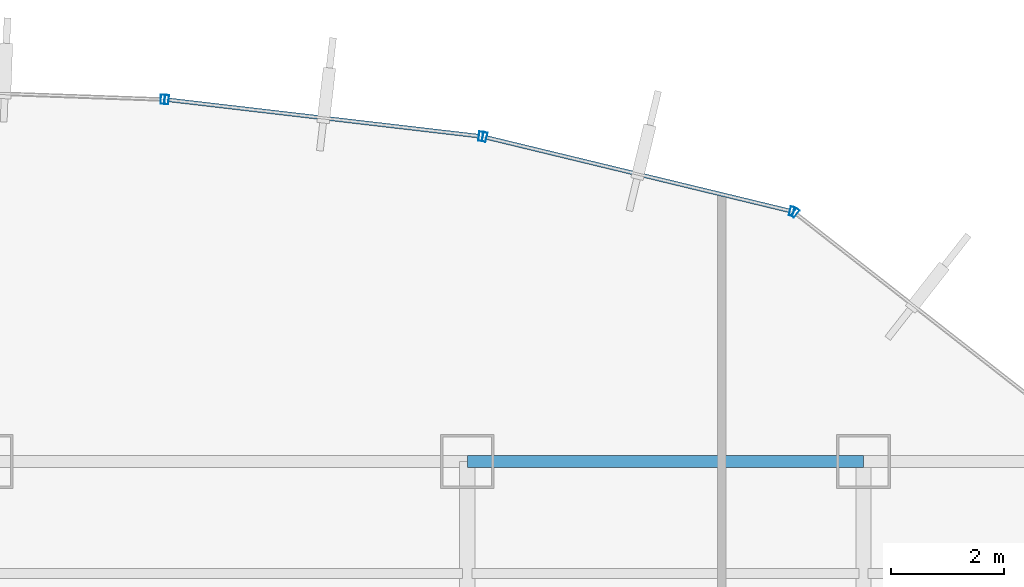
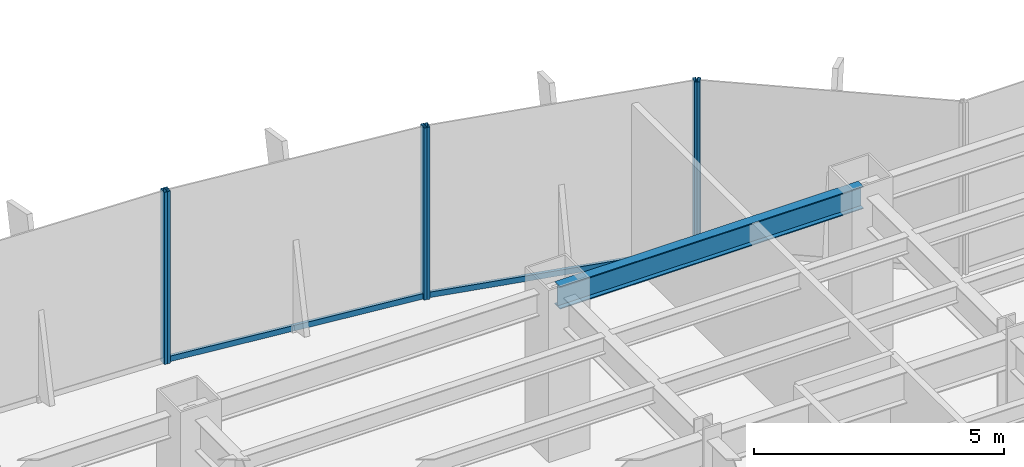
# One storey, part 23 of 35: 8 members, 1 beam, 4 elements without a shape of their own.
"""IFC4 building model written with IfcOpenShell, lengths in metres."""

from ifc_helpers import new_model, si_unit, derived_unit, direction, frame, origin, origin_2d, place, context, subcontext, project, spatial, hollow_rectangle, i_section, extrude, source, transform, mapped, material, material_profile, profile_set, type_object, element, aggregate, save


model = new_model("IFC4")

# Units and contexts
model_context = context("Model", 3, precision=1e-05, world=origin(), true_north=direction((0.0, 1.0)))
body_context = subcontext(model_context, "Body", "Model", "MODEL_VIEW")
ifc_project = project(units=[si_unit("LENGTHUNIT", "METRE"), si_unit("AREAUNIT", "SQUARE_METRE"), si_unit("VOLUMEUNIT", "CUBIC_METRE"), si_unit("PLANEANGLEUNIT", "RADIAN"), si_unit("MASSUNIT", "GRAM", prefix="KILO"), derived_unit("THERMALTRANSMITTANCEUNIT", [(si_unit("POWERUNIT", "WATT"), 1), (si_unit("LENGTHUNIT", "METRE"), -2), (si_unit("THERMODYNAMICTEMPERATUREUNIT", "KELVIN"), -1)])], contexts=[model_context])

# Site, building, storey
site_placement = place(None, origin())
site = spatial("IfcSite", under=ifc_project, at=site_placement, CompositionType="ELEMENT")
building_placement = place(site_placement, origin())
building = spatial("IfcBuilding", under=site, at=building_placement, Name="Skarnbrae Concourse Arena and Tower", CompositionType="ELEMENT")
storey_placement = place(building_placement, frame((0.0, 0.0, 79.949951171875)))
storey = spatial("IfcBuildingStorey", under=building, at=storey_placement, Name="L19", CompositionType="ELEMENT", Elevation=79.949951171875)

# Beam
ifc_material_1 = material(Name="Steel CSA G40.21 350W", Category="steel")
ifc_material_profile_1 = material_profile(ifc_material_1, i_section(OverallWidth=0.214111328125, OverallDepth=0.549072265625, WebThickness=0.0146484375, FlangeThickness=0.023681640625, at=origin_2d()), Name="W530X138")
ifc_profile_set_1 = profile_set([ifc_material_profile_1], Name="Steel CSA G40.21 350W")
beam_type = type_object("IfcBeamType", Name="BM-SPAN-W530X138", PredefinedType="SPANDREL", material=ifc_profile_set_1)
shared_shape_1 = source(origin(), body_context, "Body", "SweptSolid", [
    extrude(i_section(OverallWidth=0.214111328125, OverallDepth=0.549072265625, WebThickness=0.0146484375, FlangeThickness=0.023681640625, at=origin_2d()), origin(), (0.0, 0.0, 1.0), 7.0),
])
beam_placement = place(storey_placement, frame((42.0, 40.39990234375, 3.62548828125), z_axis=(1.0, 0.0, 0.0), x_axis=(0.0, 1.0, 0.0)))
element("IfcBeam", 1, at=beam_placement, inside=storey, type_object=beam_type, Name="L19 Perimeter spandrel Y40.4-6", PredefinedType="SPANDREL", context=body_context, shape_type="MappedRepresentation", body=[
    mapped(shared_shape_1, transform((0.0, 0.0, 0.0))),
])

# Curtain wall, member
ifc_material_2 = material(Name="Bronze anodised aluminium 6063-T6", Category="aluminium")
curtain_wall_type = type_object("IfcCurtainWallType", Name="CW-SYS-06-SKYLOBBY", PredefinedType="USERDEFINED", material=ifc_material_2)
curtain_wall_1_placement = place(storey_placement, origin())
curtain_wall_1 = element("IfcCurtainWall", 2, at=curtain_wall_1_placement, inside=storey, type_object=curtain_wall_type, Name="L19 Unitised curtain wall CW-L19-E08", ObjectType="UNITISED CURTAIN WALL", PredefinedType="USERDEFINED")
ifc_material_profile_2 = material_profile(ifc_material_2, hollow_rectangle(XDim=0.070068359375, YDim=0.1650390625, WallThickness=0.00390625, at=origin_2d()), Name="ALU-MULL-70X165")
ifc_profile_set_2 = profile_set([ifc_material_profile_2], Name="Bronze anodised aluminium 6063-T6")
member_type_1 = type_object("IfcMemberType", Name="CWM-CW-06", PredefinedType="MULLION", material=ifc_profile_set_2)
shared_shape_2 = source(origin(), body_context, "Body", "SweptSolid", [
    extrude(hollow_rectangle(XDim=0.070068359375, YDim=0.1650390625, WallThickness=0.00390625, at=origin_2d()), origin(), (0.0, 0.0, 1.0), 4.199951171875),
])
member_1_placement = place(storey_placement, frame((47.7939453125, 44.7900390625, 0.0), z_axis=(0.0, 0.0, 1.0), x_axis=(-0.787651726054, 0.616120733658, 0.0)))
member_1 = element("IfcMember", 3, at=member_1_placement, type_object=member_type_1, Name="CW-L19-E08 Mullion 2", PredefinedType="MULLION", context=body_context, shape_type="MappedRepresentation", body=[
    mapped(shared_shape_2, transform((0.0, 0.0, 0.0))),
])
aggregate(curtain_wall_1, [member_1])

# Curtain wall, members
curtain_wall_2_placement = place(storey_placement, origin())
curtain_wall_2 = element("IfcCurtainWall", 4, at=curtain_wall_2_placement, inside=storey, type_object=curtain_wall_type, Name="L19 Unitised curtain wall CW-L19-E09", ObjectType="UNITISED CURTAIN WALL", PredefinedType="USERDEFINED")
member_2_placement = place(storey_placement, frame((47.732421875, 44.81982421875, 0.0), z_axis=(0.0, 0.0, 1.0), x_axis=(-0.971973721569, 0.235089524607, 0.0)))
member_2 = element("IfcMember", 5, at=member_2_placement, type_object=member_type_1, Name="CW-L19-E09 Mullion 1", PredefinedType="MULLION", context=body_context, shape_type="MappedRepresentation", body=[
    mapped(shared_shape_2, transform((0.0, 0.0, 0.0))),
])
member_3_placement = place(storey_placement, frame((42.306396484375, 46.13232421875, 0.0), z_axis=(0.0, 0.0, 1.0), x_axis=(-0.971973721569, 0.235089524607, 0.0)))
member_3 = element("IfcMember", 6, at=member_3_placement, type_object=member_type_1, Name="CW-L19-E09 Mullion 2", PredefinedType="MULLION", context=body_context, shape_type="MappedRepresentation", body=[
    mapped(shared_shape_2, transform((0.0, 0.0, 0.0))),
])

curtain_wall_3_placement = place(storey_placement, origin())
curtain_wall_3 = element("IfcCurtainWall", 7, at=curtain_wall_3_placement, inside=storey, type_object=curtain_wall_type, Name="L19 Unitised curtain wall CW-L19-E10", ObjectType="UNITISED CURTAIN WALL", PredefinedType="USERDEFINED")
member_4_placement = place(storey_placement, frame((42.237548828125, 46.14453125, 0.0), z_axis=(0.0, 0.0, 1.0), x_axis=(-0.99324457001, 0.116039752435, 0.0)))
member_4 = element("IfcMember", 8, at=member_4_placement, type_object=member_type_1, Name="CW-L19-E10 Mullion 1", PredefinedType="MULLION", context=body_context, shape_type="MappedRepresentation", body=[
    mapped(shared_shape_2, transform((0.0, 0.0, 0.0))),
])
member_5_placement = place(storey_placement, frame((36.688720703125, 46.792724609375, 0.0), z_axis=(0.0, 0.0, 1.0), x_axis=(-0.99324457001, 0.116039752435, 0.0)))
member_5 = element("IfcMember", 9, at=member_5_placement, type_object=member_type_1, Name="CW-L19-E10 Mullion 2", PredefinedType="MULLION", context=body_context, shape_type="MappedRepresentation", body=[
    mapped(shared_shape_2, transform((0.0, 0.0, 0.0))),
])

# Curtain wall, member
curtain_wall_4_placement = place(storey_placement, origin())
curtain_wall_4 = element("IfcCurtainWall", 10, at=curtain_wall_4_placement, inside=storey, type_object=curtain_wall_type, Name="L19 Unitised curtain wall CW-L19-E11", ObjectType="UNITISED CURTAIN WALL", PredefinedType="USERDEFINED")
member_6_placement = place(storey_placement, frame((36.618896484375, 46.798095703125, 0.0), z_axis=(0.0, 0.0, 1.0), x_axis=(-0.999355425188, 0.035898943527, 0.0)))
member_6 = element("IfcMember", 11, at=member_6_placement, type_object=member_type_1, Name="CW-L19-E11 Mullion 1", PredefinedType="MULLION", context=body_context, shape_type="MappedRepresentation", body=[
    mapped(shared_shape_2, transform((0.0, 0.0, 0.0))),
])
aggregate(curtain_wall_4, [member_6])

# Member
ifc_material_profile_3 = material_profile(ifc_material_2, hollow_rectangle(XDim=0.070068359375, YDim=0.135009765625, WallThickness=0.00390625, at=origin_2d()), Name="ALU-TRAN-70X135")
ifc_profile_set_3 = profile_set([ifc_material_profile_3], Name="Bronze anodised aluminium 6063-T6")
member_type_2 = type_object("IfcMemberType", Name="CWT-CW-06", PredefinedType="USERDEFINED", material=ifc_profile_set_3)
shared_shape_3 = source(origin(), body_context, "Body", "SweptSolid", [
    extrude(hollow_rectangle(XDim=0.070068359375, YDim=0.135009765625, WallThickness=0.00390625, at=origin_2d()), origin(), (0.0, 0.0, 1.0), 5.512451171875),
])
member_7_placement = place(storey_placement, frame((47.6982421875, 44.828125, 0.067626953125), z_axis=(-0.971974119231, 0.235087880474, 0.0), x_axis=(-0.235087880474, -0.971974119231, 0.0)))
member_7 = element("IfcMember", 12, at=member_7_placement, type_object=member_type_2, Name="CW-L19-E09 Transom 1", ObjectType="TRANSOM", PredefinedType="USERDEFINED", context=body_context, shape_type="MappedRepresentation", body=[
    mapped(shared_shape_3, transform((0.0, 0.0, 0.0))),
])

aggregate(curtain_wall_2, [member_2, member_3, member_7])

shared_shape_4 = source(origin(), body_context, "Body", "SweptSolid", [
    extrude(hollow_rectangle(XDim=0.070068359375, YDim=0.135009765625, WallThickness=0.00390625, at=origin_2d()), origin(), (0.0, 0.0, 1.0), 5.516845703125),
])
member_8_placement = place(storey_placement, frame((42.202880859375, 46.148681640625, 0.067626953125), z_axis=(-0.99324512944, 0.116034963883, 0.0), x_axis=(-0.116034963883, -0.99324512944, 0.0)))
member_8 = element("IfcMember", 13, at=member_8_placement, type_object=member_type_2, Name="CW-L19-E10 Transom 1", ObjectType="TRANSOM", PredefinedType="USERDEFINED", context=body_context, shape_type="MappedRepresentation", body=[
    mapped(shared_shape_4, transform((0.0, 0.0, 0.0))),
])

aggregate(curtain_wall_3, [member_4, member_5, member_8])

save(model, "model.ifc")
